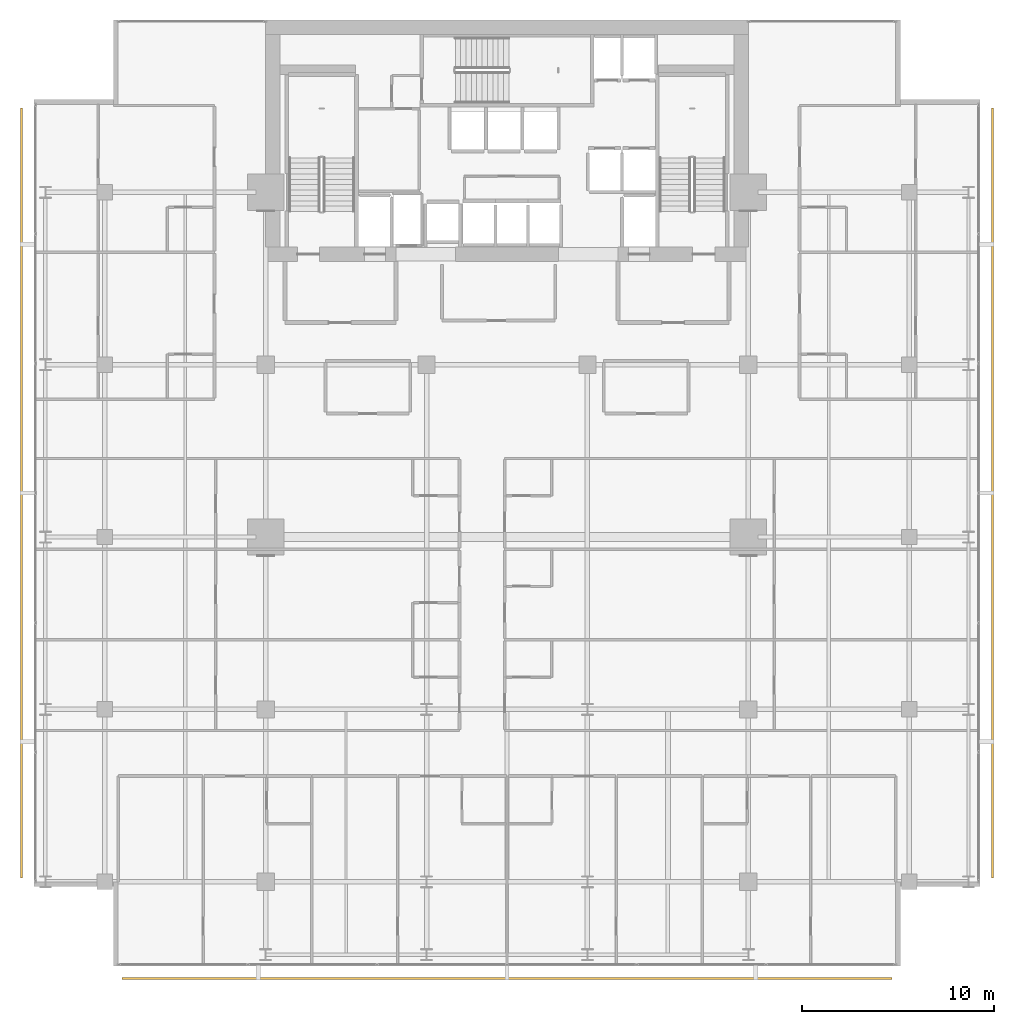
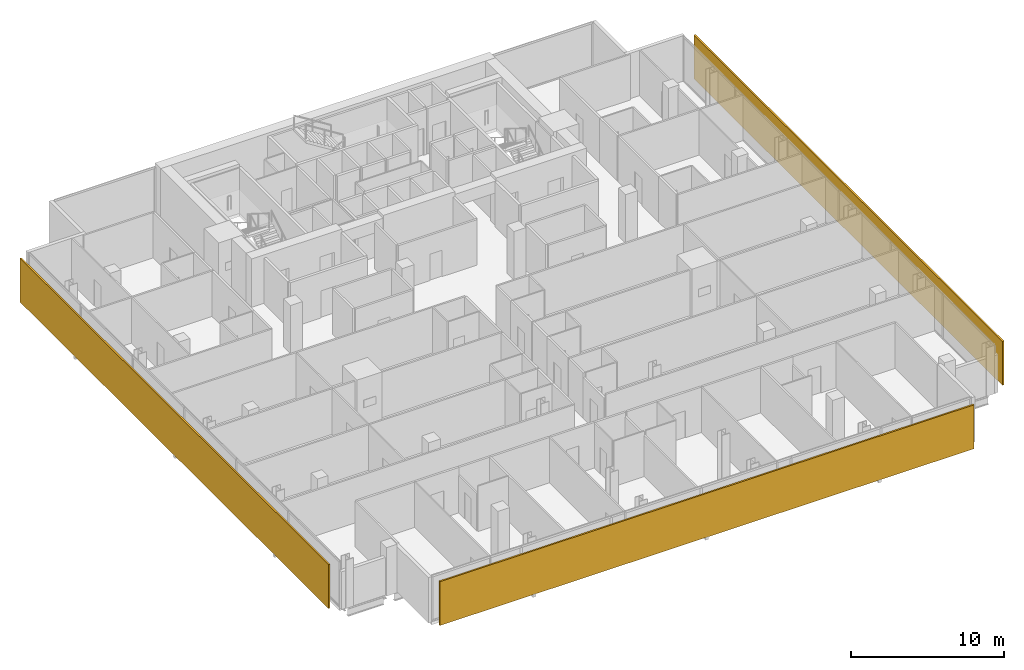
# One storey, part 32 of 33: 3 shading devices.
"""IFC4 building model written with IfcOpenShell, lengths in metres."""

from ifc_helpers import new_model, si_unit, direction, frame, origin, origin_2d, place, context, subcontext, project, spatial, rectangle, extrude, material, layer, layer_set, type_object, element, save


model = new_model("IFC4")

# Units and contexts
model_context = context("Model", 3, precision=1e-05, world=origin(), true_north=direction((0.0, 1.0)))
body_context = subcontext(model_context, "Body", "Model", "MODEL_VIEW")
ifc_project = project(units=[si_unit("LENGTHUNIT", "METRE"), si_unit("AREAUNIT", "SQUARE_METRE"), si_unit("VOLUMEUNIT", "CUBIC_METRE"), si_unit("PLANEANGLEUNIT", "RADIAN"), si_unit("MASSUNIT", "GRAM", prefix="KILO")], contexts=[model_context])

# Site, building, storey
site_placement = place(None, origin())
site = spatial("IfcSite", under=ifc_project, at=site_placement, CompositionType="ELEMENT")
building_placement = place(site_placement, origin())
building = spatial("IfcBuilding", under=site, at=building_placement, Name="Maruvema Waterfront Hotel and Observation Tower", CompositionType="ELEMENT")
storey_placement = place(building_placement, frame((0.0, 0.0, 138.949951171875)))
storey = spatial("IfcBuildingStorey", under=building, at=storey_placement, Name="L33", CompositionType="ELEMENT", Elevation=138.949951171875)

# Shading devices
ifc_material = material(Name="Honed travertine stone and anodised architectural bronze", Category="masonry")
ifc_layer = layer(ifc_material, 0.1201171875, Name="Ventilated Outer Skin Cobogo Stone-and-Bronze Screen 120 mm")
ifc_layer_set = layer_set([ifc_layer], Name="Honed travertine stone and anodised architectural bronze")
shading_device_type = type_object("IfcShadingDeviceType", Name="Ventilated Outer Skin Cobogo Stone-and-Bronze Screen 120 mm", PredefinedType="USERDEFINED", material=ifc_layer_set)
for number, where, z_axis, x_axis, name in (
    (1, (37.800048828125, 3.949951171875, 0.06005859375), (0.0, 0.0, 1.0), (1.0, 0.0, 0.0), "L33 Ventilated Double-Skin Outer Cobogo Screen OS-L33-S"),
    (2, (63.14990234375, 29.300048828125, 0.06005859375), (0.0, 0.0, 1.0), (0.0, 1.0, 0.0), "L33 Ventilated Double-Skin Outer Cobogo Screen OS-L33-E"),
    (3, (12.449951171875, 29.300048828125, 0.06005859375), (0.0, 0.0, 1.0), (0.0, -1.0, 0.0), "L33 Ventilated Double-Skin Outer Cobogo Screen OS-L33-W"),
):
    element("IfcShadingDevice", number, at=place(storey_placement, frame(where, z_axis=z_axis, x_axis=x_axis)), inside=storey, type_object=shading_device_type, Name=name, ObjectType="OUTER SKIN SCREEN", PredefinedType="USERDEFINED", context=body_context, shape_type="SweptSolid", body=[
        extrude(rectangle(XDim=40.199951171875, YDim=0.1201171875, at=origin_2d()), origin(), (0.0, 0.0, 1.0), 3.489990234375),
    ])

save(model, "model.ifc")
